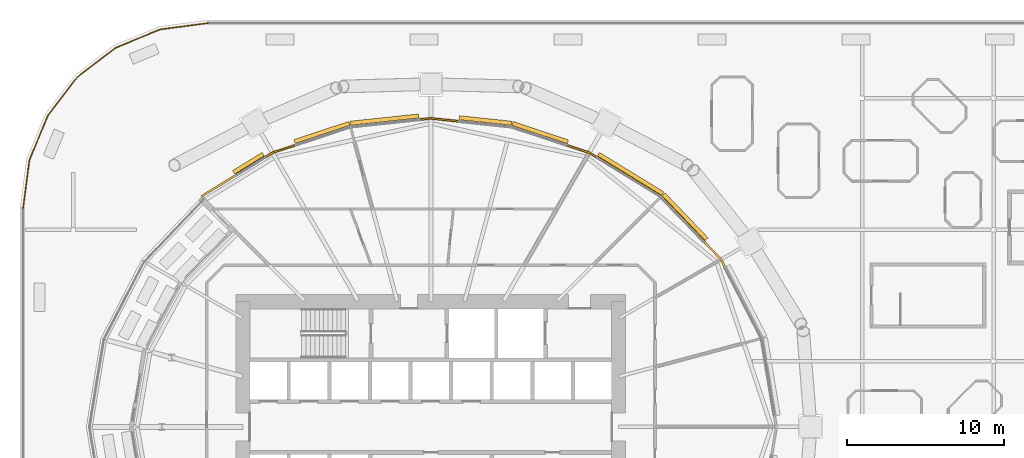
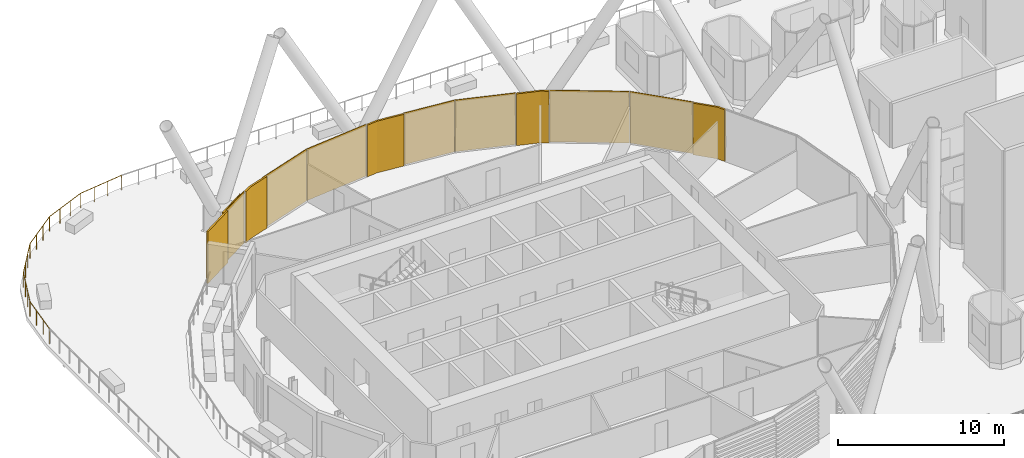
# One storey, part 40 of 47: 12 coverings, 1 railing.
"""IFC4 building model written with IfcOpenShell, lengths in metres."""

from ifc_helpers import new_model, si_unit, direction, frame, origin, origin_2d, place, context, subcontext, project, spatial, polyline, circle, outline, extrude, material, layer, layer_set, material_profile, profile_set, type_object, element, save


model = new_model("IFC4")

# Units and contexts
model_context = context("Model", 3, precision=1e-05, world=origin(), true_north=direction((0.0, 1.0)))
body_context = subcontext(model_context, "Body", "Model", "MODEL_VIEW")
ifc_project = project(units=[si_unit("LENGTHUNIT", "METRE"), si_unit("AREAUNIT", "SQUARE_METRE"), si_unit("VOLUMEUNIT", "CUBIC_METRE"), si_unit("PLANEANGLEUNIT", "RADIAN"), si_unit("MASSUNIT", "GRAM", prefix="KILO")], contexts=[model_context])

# Site, building, storey
site_placement = place(None, origin())
site = spatial("IfcSite", under=ifc_project, at=site_placement, CompositionType="ELEMENT")
building_placement = place(site_placement, origin())
building = spatial("IfcBuilding", under=site, at=building_placement, Name="Rimbun Link Towers", CompositionType="ELEMENT")
storey_placement = place(building_placement, frame((0.0, 0.0, 30.0)))
storey = spatial("IfcBuildingStorey", under=building, at=storey_placement, Name="L06", CompositionType="ELEMENT", Elevation=30.0)

# Railing
ifc_material_1 = material(Name="Toughened laminated glass, stainless steel grade 316 posts and cap rail", Category="steel")
railing_type = type_object("IfcRailingType", Name="GUARD glass balustrade with stainless cap rail", PredefinedType="BALUSTRADE", material=ifc_material_1)
railing_placement = place(storey_placement, frame((-45.98681640625, 25.800048828125, 0.0)))
element("IfcRailing", 1, at=railing_placement, inside=storey, type_object=railing_type, Name="GUARD glass balustrade", PredefinedType="BALUSTRADE", context=body_context, shape_type="SweptSolid", body=[
    extrude(circle(Radius=0.02392578125, at=origin_2d()), frame((0.0, 0.0, 1.076171875), z_axis=(-0.991443009305, -0.130540259305, 0.0), x_axis=(0.130540259305, -0.991443009305, 0.0)), (0.0, 0.0, 1.0), 3.09326171875),
    extrude(circle(Radius=0.02392578125, at=origin_2d()), frame((-3.06689453125, -0.40380859375, 1.076171875), z_axis=(-0.92386997747, -0.382706499462, 0.0), x_axis=(0.382706499462, -0.92386997747, 0.0)), (0.0, 0.0, 1.0), 3.079833984375),
    extrude(circle(Radius=0.02392578125, at=origin_2d()), frame((-5.912353515625, -1.58251953125, 1.076171875), z_axis=(-0.793398353015, -0.608702762794, 0.0), x_axis=(0.608702762794, -0.793398353015, 0.0)), (0.0, 0.0, 1.0), 3.079833984375),
    extrude(circle(Radius=0.02392578125, at=origin_2d()), frame((-8.35595703125, -3.457275390625, 1.076171875), z_axis=(-0.608702762794, -0.793398353015, 0.0), x_axis=(0.793398353015, -0.608702762794, 0.0)), (0.0, 0.0, 1.0), 3.079833984375),
    extrude(circle(Radius=0.02392578125, at=origin_2d()), frame((-10.230712890625, -5.90087890625, 1.076171875), z_axis=(-0.382706499462, -0.92386997747, 0.0), x_axis=(0.92386997747, -0.382706499462, 0.0)), (0.0, 0.0, 1.0), 3.079833984375),
    extrude(circle(Radius=0.02392578125, at=origin_2d()), frame((-11.409423828125, -8.746337890625, 1.076171875), z_axis=(-0.130540259305, -0.991443009305, 0.0), x_axis=(0.991443009305, -0.130540259305, 0.0)), (0.0, 0.0, 1.0), 3.09326171875),
    extrude(circle(Radius=0.02099609375, at=origin_2d()), origin(), (0.0, 0.0, 1.0), 1.052001953125),
    extrude(circle(Radius=0.02099609375, at=origin_2d()), frame((-1.022216796875, -0.134521484375, 0.0)), (0.0, 0.0, 1.0), 1.052001953125),
    extrude(circle(Radius=0.02099609375, at=origin_2d()), frame((-2.044677734375, -0.269287109375, 0.0)), (0.0, 0.0, 1.0), 1.052001953125),
    extrude(circle(Radius=0.02099609375, at=origin_2d()), frame((-3.06689453125, -0.40380859375, 0.0)), (0.0, 0.0, 1.0), 1.052001953125),
    extrude(circle(Radius=0.02099609375, at=origin_2d()), frame((-4.015380859375, -0.796630859375, 0.0)), (0.0, 0.0, 1.0), 1.052001953125),
    extrude(circle(Radius=0.02099609375, at=origin_2d()), frame((-4.9638671875, -1.189697265625, 0.0)), (0.0, 0.0, 1.0), 1.052001953125),
    extrude(circle(Radius=0.02099609375, at=origin_2d()), frame((-5.912353515625, -1.58251953125, 0.0)), (0.0, 0.0, 1.0), 1.052001953125),
    extrude(circle(Radius=0.02099609375, at=origin_2d()), frame((-6.726806640625, -2.20751953125, 0.0)), (0.0, 0.0, 1.0), 1.052001953125),
    extrude(circle(Radius=0.02099609375, at=origin_2d()), frame((-7.54150390625, -2.832275390625, 0.0)), (0.0, 0.0, 1.0), 1.052001953125),
    extrude(circle(Radius=0.02099609375, at=origin_2d()), frame((-8.35595703125, -3.457275390625, 0.0)), (0.0, 0.0, 1.0), 1.052001953125),
    extrude(circle(Radius=0.02099609375, at=origin_2d()), frame((-8.98095703125, -4.271728515625, 0.0)), (0.0, 0.0, 1.0), 1.052001953125),
    extrude(circle(Radius=0.02099609375, at=origin_2d()), frame((-9.605712890625, -5.08642578125, 0.0)), (0.0, 0.0, 1.0), 1.052001953125),
    extrude(circle(Radius=0.02099609375, at=origin_2d()), frame((-10.230712890625, -5.90087890625, 0.0)), (0.0, 0.0, 1.0), 1.052001953125),
    extrude(circle(Radius=0.02099609375, at=origin_2d()), frame((-10.62353515625, -6.849365234375, 0.0)), (0.0, 0.0, 1.0), 1.052001953125),
    extrude(circle(Radius=0.02099609375, at=origin_2d()), frame((-11.0166015625, -7.7978515625, 0.0)), (0.0, 0.0, 1.0), 1.052001953125),
    extrude(circle(Radius=0.02099609375, at=origin_2d()), frame((-11.409423828125, -8.746337890625, 0.0)), (0.0, 0.0, 1.0), 1.052001953125),
    extrude(circle(Radius=0.02099609375, at=origin_2d()), frame((-11.5439453125, -9.7685546875, 0.0)), (0.0, 0.0, 1.0), 1.052001953125),
    extrude(circle(Radius=0.02099609375, at=origin_2d()), frame((-11.6787109375, -10.791015625, 0.0)), (0.0, 0.0, 1.0), 1.052001953125),
    extrude(circle(Radius=0.02099609375, at=origin_2d()), frame((-11.813232421875, -11.813232421875, 0.0)), (0.0, 0.0, 1.0), 1.052001953125),
])

# Coverings
ifc_material_2 = material(Name="Terracotta", Category="masonry")
ifc_layer = layer(ifc_material_2, 0.1201171875)
ifc_layer_set = layer_set([ifc_layer], Name="LINK PIER terracotta cladding 120")
covering_type_1 = type_object("IfcCoveringType", Name="LINK PIER terracotta cladding 120", PredefinedType="CLADDING", material=ifc_layer_set)
covering_1_placement = place(storey_placement, origin())
element("IfcCovering", 2, at=covering_1_placement, inside=storey, type_object=covering_type_1, Name="LINK PIER cladding", PredefinedType="CLADDING", context=body_context, shape_type="SweptSolid", body=[
    extrude(outline(polyline([(-14.317138671875, 11.769287109375), (-13.26513671875, 10.672119140625), (-13.026123046875, 10.21044921875), (-12.919677734375, 10.265625), (-13.16650390625, 10.74267578125), (-14.23046875, 11.8525390625), (-14.317138671875, 11.769287109375)])), origin(), (0.0, 0.0, 1.0), 3.800048828125),
])
covering_2_placement = place(storey_placement, origin())
element("IfcCovering", 3, at=covering_2_placement, inside=storey, type_object=covering_type_1, Name="LINK PIER cladding", PredefinedType="CLADDING", context=body_context, shape_type="SweptSolid", body=[
    extrude(outline(polyline([(-23.059326171875, 17.93212890625), (-21.663818359375, 17.469482421875), (-21.220703125, 17.197509765625), (-21.157958984375, 17.2998046875), (-21.613037109375, 17.5791015625), (-23.021484375, 18.0458984375), (-23.059326171875, 17.93212890625)])), origin(), (0.0, 0.0, 1.0), 3.800048828125),
])
covering_3_placement = place(storey_placement, origin())
element("IfcCovering", 4, at=covering_3_placement, inside=storey, type_object=covering_type_1, Name="LINK PIER cladding", PredefinedType="CLADDING", context=body_context, shape_type="SweptSolid", body=[
    extrude(outline(polyline([(-32.466064453125, 19.578857421875), (-31.75, 19.654296875), (-29.98974609375, 19.46875), (-29.97705078125, 19.588134765625), (-31.75, 19.77490234375), (-32.478515625, 19.697998046875), (-32.466064453125, 19.578857421875)])), origin(), (0.0, 0.0, 1.0), 3.800048828125),
])
covering_4_placement = place(storey_placement, origin())
element("IfcCovering", 5, at=covering_4_placement, inside=storey, type_object=covering_type_1, Name="LINK PIER cladding", PredefinedType="CLADDING", context=body_context, shape_type="SweptSolid", body=[
    extrude(outline(polyline([(-46.38525390625, 14.676513671875), (-44.220703125, 16.005615234375), (-44.283447265625, 16.107666015625), (-46.447998046875, 14.77880859375), (-46.38525390625, 14.676513671875)])), origin(), (0.0, 0.0, 1.0), 3.800048828125),
])
covering_5_placement = place(storey_placement, origin())
element("IfcCovering", 6, at=covering_5_placement, inside=storey, type_object=covering_type_1, Name="LINK PIER cladding", PredefinedType="CLADDING", context=body_context, shape_type="SweptSolid", body=[
    extrude(outline(polyline([(-42.279296875, 17.197509765625), (-41.836181640625, 17.469482421875), (-40.393310546875, 17.94775390625), (-40.430908203125, 18.0615234375), (-41.886962890625, 17.5791015625), (-42.342041015625, 17.2998046875), (-42.279296875, 17.197509765625)])), origin(), (0.0, 0.0, 1.0), 3.800048828125),
])
ifc_material_3 = material(Name="Terracotta", Category="masonry")
ifc_material_profile = material_profile(ifc_material_3, outline(polyline([(0.123046875, 0.0), (0.1630859375, 0.0), (0.1630859375, 0.10009765625), (0.423095703125, 0.10009765625), (0.423095703125, 0.219970703125), (0.1630859375, 0.219970703125), (0.1630859375, 0.39990234375), (0.423095703125, 0.39990234375), (0.423095703125, 0.52001953125), (0.1630859375, 0.52001953125), (0.1630859375, 0.699951171875), (0.423095703125, 0.699951171875), (0.423095703125, 0.820068359375), (0.1630859375, 0.820068359375), (0.1630859375, 1.0), (0.423095703125, 1.0), (0.423095703125, 1.1201171875), (0.1630859375, 1.1201171875), (0.1630859375, 1.300048828125), (0.423095703125, 1.300048828125), (0.423095703125, 1.419921875), (0.1630859375, 1.419921875), (0.1630859375, 1.60009765625), (0.423095703125, 1.60009765625), (0.423095703125, 1.719970703125), (0.1630859375, 1.719970703125), (0.1630859375, 1.89990234375), (0.423095703125, 1.89990234375), (0.423095703125, 2.02001953125), (0.1630859375, 2.02001953125), (0.1630859375, 2.199951171875), (0.423095703125, 2.199951171875), (0.423095703125, 2.320068359375), (0.1630859375, 2.320068359375), (0.1630859375, 2.5), (0.423095703125, 2.5), (0.423095703125, 2.6201171875), (0.1630859375, 2.6201171875), (0.1630859375, 2.800048828125), (0.423095703125, 2.800048828125), (0.423095703125, 2.919921875), (0.1630859375, 2.919921875), (0.1630859375, 3.10009765625), (0.423095703125, 3.10009765625), (0.423095703125, 3.219970703125), (0.1630859375, 3.219970703125), (0.1630859375, 3.39990234375), (0.423095703125, 3.39990234375), (0.423095703125, 3.52001953125), (0.1630859375, 3.52001953125), (0.1630859375, 3.800048828125), (0.123046875, 3.800048828125), (0.123046875, 0.0)])), Name="BAGUETTE 120X300")
ifc_profile_set = profile_set([ifc_material_profile], Name="Terracotta")
covering_type_2 = type_object("IfcCoveringType", Name="TERRACOTTA BAGUETTE 120X300 H3800", PredefinedType="CLADDING", material=ifc_profile_set)
covering_6_placement = place(storey_placement, frame((-17.089111328125, 14.660888671875, 0.0), z_axis=(0.692026728068, -0.721871877579, 0.0), x_axis=(0.721871877579, 0.692026728068, 0.0)))
element("IfcCovering", 7, at=covering_6_placement, inside=storey, type_object=covering_type_2, Name="TERRACOTTA BAGUETTE", PredefinedType="CLADDING", context=body_context, shape_type="SweptSolid", body=[
    extrude(outline(polyline([(0.123046875, 0.0), (0.1630859375, 0.0), (0.1630859375, 0.10009765625), (0.423095703125, 0.10009765625), (0.423095703125, 0.219970703125), (0.1630859375, 0.219970703125), (0.1630859375, 0.39990234375), (0.423095703125, 0.39990234375), (0.423095703125, 0.52001953125), (0.1630859375, 0.52001953125), (0.1630859375, 0.699951171875), (0.423095703125, 0.699951171875), (0.423095703125, 0.820068359375), (0.1630859375, 0.820068359375), (0.1630859375, 1.0), (0.423095703125, 1.0), (0.423095703125, 1.1201171875), (0.1630859375, 1.1201171875), (0.1630859375, 1.300048828125), (0.423095703125, 1.300048828125), (0.423095703125, 1.419921875), (0.1630859375, 1.419921875), (0.1630859375, 1.60009765625), (0.423095703125, 1.60009765625), (0.423095703125, 1.719970703125), (0.1630859375, 1.719970703125), (0.1630859375, 1.89990234375), (0.423095703125, 1.89990234375), (0.423095703125, 2.02001953125), (0.1630859375, 2.02001953125), (0.1630859375, 2.199951171875), (0.423095703125, 2.199951171875), (0.423095703125, 2.320068359375), (0.1630859375, 2.320068359375), (0.1630859375, 2.5), (0.423095703125, 2.5), (0.423095703125, 2.6201171875), (0.1630859375, 2.6201171875), (0.1630859375, 2.800048828125), (0.423095703125, 2.800048828125), (0.423095703125, 2.919921875), (0.1630859375, 2.919921875), (0.1630859375, 3.10009765625), (0.423095703125, 3.10009765625), (0.423095703125, 3.219970703125), (0.1630859375, 3.219970703125), (0.1630859375, 3.39990234375), (0.423095703125, 3.39990234375), (0.423095703125, 3.52001953125), (0.1630859375, 3.52001953125), (0.1630859375, 3.800048828125), (0.123046875, 3.800048828125), (0.123046875, 0.0)])), origin(), (0.0, 0.0, 1.0), 3.9755859375),
])
covering_7_placement = place(storey_placement, frame((-21.1953125, 17.181884765625, 0.0), z_axis=(0.852204123862, -0.523209452583, 0.0), x_axis=(0.523209452583, 0.852204123862, 0.0)))
element("IfcCovering", 8, at=covering_7_placement, inside=storey, type_object=covering_type_2, Name="TERRACOTTA BAGUETTE", PredefinedType="CLADDING", context=body_context, shape_type="SweptSolid", body=[
    extrude(outline(polyline([(0.123046875, 0.0), (0.1630859375, 0.0), (0.1630859375, 0.10009765625), (0.423095703125, 0.10009765625), (0.423095703125, 0.219970703125), (0.1630859375, 0.219970703125), (0.1630859375, 0.39990234375), (0.423095703125, 0.39990234375), (0.423095703125, 0.52001953125), (0.1630859375, 0.52001953125), (0.1630859375, 0.699951171875), (0.423095703125, 0.699951171875), (0.423095703125, 0.820068359375), (0.1630859375, 0.820068359375), (0.1630859375, 1.0), (0.423095703125, 1.0), (0.423095703125, 1.1201171875), (0.1630859375, 1.1201171875), (0.1630859375, 1.300048828125), (0.423095703125, 1.300048828125), (0.423095703125, 1.419921875), (0.1630859375, 1.419921875), (0.1630859375, 1.60009765625), (0.423095703125, 1.60009765625), (0.423095703125, 1.719970703125), (0.1630859375, 1.719970703125), (0.1630859375, 1.89990234375), (0.423095703125, 1.89990234375), (0.423095703125, 2.02001953125), (0.1630859375, 2.02001953125), (0.1630859375, 2.199951171875), (0.423095703125, 2.199951171875), (0.423095703125, 2.320068359375), (0.1630859375, 2.320068359375), (0.1630859375, 2.5), (0.423095703125, 2.5), (0.423095703125, 2.6201171875), (0.1630859375, 2.6201171875), (0.1630859375, 2.800048828125), (0.423095703125, 2.800048828125), (0.423095703125, 2.919921875), (0.1630859375, 2.919921875), (0.1630859375, 3.10009765625), (0.423095703125, 3.10009765625), (0.423095703125, 3.219970703125), (0.1630859375, 3.219970703125), (0.1630859375, 3.39990234375), (0.423095703125, 3.39990234375), (0.423095703125, 3.52001953125), (0.1630859375, 3.52001953125), (0.1630859375, 3.800048828125), (0.123046875, 3.800048828125), (0.123046875, 0.0)])), origin(), (0.0, 0.0, 1.0), 4.818359375),
])
covering_8_placement = place(storey_placement, frame((-26.628173828125, 19.11474609375, 0.0), z_axis=(0.949231687983, -0.314577816332, 0.0), x_axis=(0.314577816332, 0.949231687983, 0.0)))
element("IfcCovering", 9, at=covering_8_placement, inside=storey, type_object=covering_type_2, Name="TERRACOTTA BAGUETTE", PredefinedType="CLADDING", context=body_context, shape_type="SweptSolid", body=[
    extrude(outline(polyline([(0.123046875, 0.0), (0.1630859375, 0.0), (0.1630859375, 0.10009765625), (0.423095703125, 0.10009765625), (0.423095703125, 0.219970703125), (0.1630859375, 0.219970703125), (0.1630859375, 0.39990234375), (0.423095703125, 0.39990234375), (0.423095703125, 0.52001953125), (0.1630859375, 0.52001953125), (0.1630859375, 0.699951171875), (0.423095703125, 0.699951171875), (0.423095703125, 0.820068359375), (0.1630859375, 0.820068359375), (0.1630859375, 1.0), (0.423095703125, 1.0), (0.423095703125, 1.1201171875), (0.1630859375, 1.1201171875), (0.1630859375, 1.300048828125), (0.423095703125, 1.300048828125), (0.423095703125, 1.419921875), (0.1630859375, 1.419921875), (0.1630859375, 1.60009765625), (0.423095703125, 1.60009765625), (0.423095703125, 1.719970703125), (0.1630859375, 1.719970703125), (0.1630859375, 1.89990234375), (0.423095703125, 1.89990234375), (0.423095703125, 2.02001953125), (0.1630859375, 2.02001953125), (0.1630859375, 2.199951171875), (0.423095703125, 2.199951171875), (0.423095703125, 2.320068359375), (0.1630859375, 2.320068359375), (0.1630859375, 2.5), (0.423095703125, 2.5), (0.423095703125, 2.6201171875), (0.1630859375, 2.6201171875), (0.1630859375, 2.800048828125), (0.423095703125, 2.800048828125), (0.423095703125, 2.919921875), (0.1630859375, 2.919921875), (0.1630859375, 3.10009765625), (0.423095703125, 3.10009765625), (0.423095703125, 3.219970703125), (0.1630859375, 3.219970703125), (0.1630859375, 3.39990234375), (0.423095703125, 3.39990234375), (0.423095703125, 3.52001953125), (0.1630859375, 3.52001953125), (0.1630859375, 3.800048828125), (0.123046875, 3.800048828125), (0.123046875, 0.0)])), origin(), (0.0, 0.0, 1.0), 3.72998046875),
])
covering_9_placement = place(storey_placement, frame((-29.9599609375, 19.465576171875, 0.0), z_axis=(0.994501858584, -0.104718925096, 0.0), x_axis=(0.104718925096, 0.994501858584, 0.0)))
element("IfcCovering", 10, at=covering_9_placement, inside=storey, type_object=covering_type_2, Name="TERRACOTTA BAGUETTE", PredefinedType="CLADDING", context=body_context, shape_type="SweptSolid", body=[
    extrude(outline(polyline([(0.123046875, 0.0), (0.1630859375, 0.0), (0.1630859375, 0.10009765625), (0.423095703125, 0.10009765625), (0.423095703125, 0.219970703125), (0.1630859375, 0.219970703125), (0.1630859375, 0.39990234375), (0.423095703125, 0.39990234375), (0.423095703125, 0.52001953125), (0.1630859375, 0.52001953125), (0.1630859375, 0.699951171875), (0.423095703125, 0.699951171875), (0.423095703125, 0.820068359375), (0.1630859375, 0.820068359375), (0.1630859375, 1.0), (0.423095703125, 1.0), (0.423095703125, 1.1201171875), (0.1630859375, 1.1201171875), (0.1630859375, 1.300048828125), (0.423095703125, 1.300048828125), (0.423095703125, 1.419921875), (0.1630859375, 1.419921875), (0.1630859375, 1.60009765625), (0.423095703125, 1.60009765625), (0.423095703125, 1.719970703125), (0.1630859375, 1.719970703125), (0.1630859375, 1.89990234375), (0.423095703125, 1.89990234375), (0.423095703125, 2.02001953125), (0.1630859375, 2.02001953125), (0.1630859375, 2.199951171875), (0.423095703125, 2.199951171875), (0.423095703125, 2.320068359375), (0.1630859375, 2.320068359375), (0.1630859375, 2.5), (0.423095703125, 2.5), (0.423095703125, 2.6201171875), (0.1630859375, 2.6201171875), (0.1630859375, 2.800048828125), (0.423095703125, 2.800048828125), (0.423095703125, 2.919921875), (0.1630859375, 2.919921875), (0.1630859375, 3.10009765625), (0.423095703125, 3.10009765625), (0.423095703125, 3.219970703125), (0.1630859375, 3.219970703125), (0.1630859375, 3.39990234375), (0.423095703125, 3.39990234375), (0.423095703125, 3.52001953125), (0.1630859375, 3.52001953125), (0.1630859375, 3.800048828125), (0.123046875, 3.800048828125), (0.123046875, 0.0)])), origin(), (0.0, 0.0, 1.0), 3.35009765625),
])
covering_10_placement = place(storey_placement, frame((-36.871826171875, 19.11474609375, 0.0), z_axis=(0.994498153958, 0.104754101466, 0.0), x_axis=(-0.104754101466, 0.994498153958, 0.0)))
element("IfcCovering", 11, at=covering_10_placement, inside=storey, type_object=covering_type_2, Name="TERRACOTTA BAGUETTE", PredefinedType="CLADDING", context=body_context, shape_type="SweptSolid", body=[
    extrude(outline(polyline([(0.123046875, 0.0), (0.1630859375, 0.0), (0.1630859375, 0.10009765625), (0.423095703125, 0.10009765625), (0.423095703125, 0.219970703125), (0.1630859375, 0.219970703125), (0.1630859375, 0.39990234375), (0.423095703125, 0.39990234375), (0.423095703125, 0.52001953125), (0.1630859375, 0.52001953125), (0.1630859375, 0.699951171875), (0.423095703125, 0.699951171875), (0.423095703125, 0.820068359375), (0.1630859375, 0.820068359375), (0.1630859375, 1.0), (0.423095703125, 1.0), (0.423095703125, 1.1201171875), (0.1630859375, 1.1201171875), (0.1630859375, 1.300048828125), (0.423095703125, 1.300048828125), (0.423095703125, 1.419921875), (0.1630859375, 1.419921875), (0.1630859375, 1.60009765625), (0.423095703125, 1.60009765625), (0.423095703125, 1.719970703125), (0.1630859375, 1.719970703125), (0.1630859375, 1.89990234375), (0.423095703125, 1.89990234375), (0.423095703125, 2.02001953125), (0.1630859375, 2.02001953125), (0.1630859375, 2.199951171875), (0.423095703125, 2.199951171875), (0.423095703125, 2.320068359375), (0.1630859375, 2.320068359375), (0.1630859375, 2.5), (0.423095703125, 2.5), (0.423095703125, 2.6201171875), (0.1630859375, 2.6201171875), (0.1630859375, 2.800048828125), (0.423095703125, 2.800048828125), (0.423095703125, 2.919921875), (0.1630859375, 2.919921875), (0.1630859375, 3.10009765625), (0.423095703125, 3.10009765625), (0.423095703125, 3.219970703125), (0.1630859375, 3.219970703125), (0.1630859375, 3.39990234375), (0.423095703125, 3.39990234375), (0.423095703125, 3.52001953125), (0.1630859375, 3.52001953125), (0.1630859375, 3.800048828125), (0.123046875, 3.800048828125), (0.123046875, 0.0)])), origin(), (0.0, 0.0, 1.0), 4.400146484375),
])
covering_11_placement = place(storey_placement, frame((-40.36474609375, 17.957275390625, 0.0), z_axis=(0.949239146914, 0.314555308277, 0.0), x_axis=(-0.314555308277, 0.949239146914, 0.0)))
element("IfcCovering", 12, at=covering_11_placement, inside=storey, type_object=covering_type_2, Name="TERRACOTTA BAGUETTE", PredefinedType="CLADDING", context=body_context, shape_type="SweptSolid", body=[
    extrude(outline(polyline([(0.123046875, 0.0), (0.1630859375, 0.0), (0.1630859375, 0.10009765625), (0.423095703125, 0.10009765625), (0.423095703125, 0.219970703125), (0.1630859375, 0.219970703125), (0.1630859375, 0.39990234375), (0.423095703125, 0.39990234375), (0.423095703125, 0.52001953125), (0.1630859375, 0.52001953125), (0.1630859375, 0.699951171875), (0.423095703125, 0.699951171875), (0.423095703125, 0.820068359375), (0.1630859375, 0.820068359375), (0.1630859375, 1.0), (0.423095703125, 1.0), (0.423095703125, 1.1201171875), (0.1630859375, 1.1201171875), (0.1630859375, 1.300048828125), (0.423095703125, 1.300048828125), (0.423095703125, 1.419921875), (0.1630859375, 1.419921875), (0.1630859375, 1.60009765625), (0.423095703125, 1.60009765625), (0.423095703125, 1.719970703125), (0.1630859375, 1.719970703125), (0.1630859375, 1.89990234375), (0.423095703125, 1.89990234375), (0.423095703125, 2.02001953125), (0.1630859375, 2.02001953125), (0.1630859375, 2.199951171875), (0.423095703125, 2.199951171875), (0.423095703125, 2.320068359375), (0.1630859375, 2.320068359375), (0.1630859375, 2.5), (0.423095703125, 2.5), (0.423095703125, 2.6201171875), (0.1630859375, 2.6201171875), (0.1630859375, 2.800048828125), (0.423095703125, 2.800048828125), (0.423095703125, 2.919921875), (0.1630859375, 2.919921875), (0.1630859375, 3.10009765625), (0.423095703125, 3.10009765625), (0.423095703125, 3.219970703125), (0.1630859375, 3.219970703125), (0.1630859375, 3.39990234375), (0.423095703125, 3.39990234375), (0.423095703125, 3.52001953125), (0.1630859375, 3.52001953125), (0.1630859375, 3.800048828125), (0.123046875, 3.800048828125), (0.123046875, 0.0)])), origin(), (0.0, 0.0, 1.0), 3.6796875),
])
covering_12_placement = place(storey_placement, frame((-44.195068359375, 16.021240234375, 0.0), z_axis=(0.852194471791, 0.523225173562, 0.0), x_axis=(-0.523225173562, 0.852194471791, 0.0)))
element("IfcCovering", 13, at=covering_12_placement, inside=storey, type_object=covering_type_2, Name="TERRACOTTA BAGUETTE", PredefinedType="CLADDING", context=body_context, shape_type="SweptSolid", body=[
    extrude(outline(polyline([(0.123046875, 0.0), (0.1630859375, 0.0), (0.1630859375, 0.10009765625), (0.423095703125, 0.10009765625), (0.423095703125, 0.219970703125), (0.1630859375, 0.219970703125), (0.1630859375, 0.39990234375), (0.423095703125, 0.39990234375), (0.423095703125, 0.52001953125), (0.1630859375, 0.52001953125), (0.1630859375, 0.699951171875), (0.423095703125, 0.699951171875), (0.423095703125, 0.820068359375), (0.1630859375, 0.820068359375), (0.1630859375, 1.0), (0.423095703125, 1.0), (0.423095703125, 1.1201171875), (0.1630859375, 1.1201171875), (0.1630859375, 1.300048828125), (0.423095703125, 1.300048828125), (0.423095703125, 1.419921875), (0.1630859375, 1.419921875), (0.1630859375, 1.60009765625), (0.423095703125, 1.60009765625), (0.423095703125, 1.719970703125), (0.1630859375, 1.719970703125), (0.1630859375, 1.89990234375), (0.423095703125, 1.89990234375), (0.423095703125, 2.02001953125), (0.1630859375, 2.02001953125), (0.1630859375, 2.199951171875), (0.423095703125, 2.199951171875), (0.423095703125, 2.320068359375), (0.1630859375, 2.320068359375), (0.1630859375, 2.5), (0.423095703125, 2.5), (0.423095703125, 2.6201171875), (0.1630859375, 2.6201171875), (0.1630859375, 2.800048828125), (0.423095703125, 2.800048828125), (0.423095703125, 2.919921875), (0.1630859375, 2.919921875), (0.1630859375, 3.10009765625), (0.423095703125, 3.10009765625), (0.423095703125, 3.219970703125), (0.1630859375, 3.219970703125), (0.1630859375, 3.39990234375), (0.423095703125, 3.39990234375), (0.423095703125, 3.52001953125), (0.1630859375, 3.52001953125), (0.1630859375, 3.800048828125), (0.123046875, 3.800048828125), (0.123046875, 0.0)])), origin(), (0.0, 0.0, 1.0), 2.21826171875),
])

save(model, "model.ifc")
